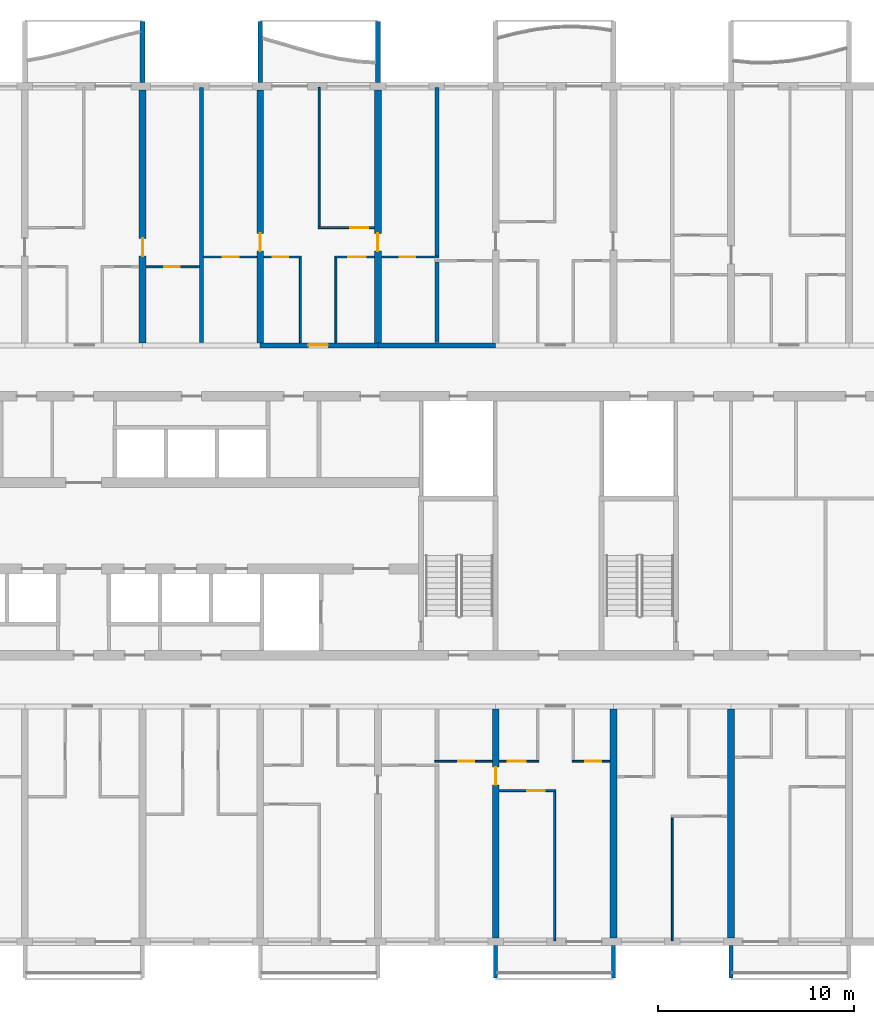
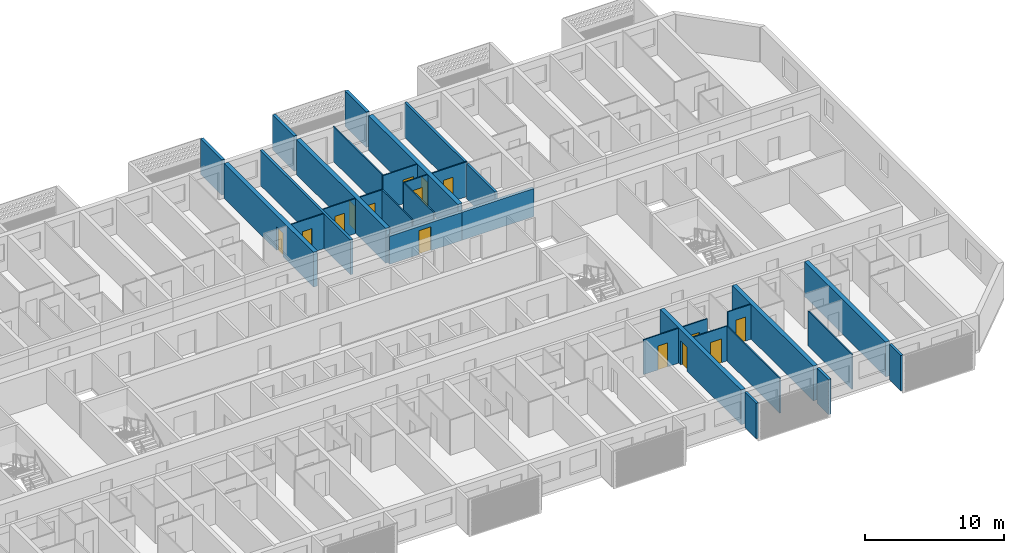
# One storey, part 13 of 25: 32 walls, 15 doors, 15 openings.
"""IFC4 building model written with IfcOpenShell, lengths in metres."""

import ifcopenshell
import ifcopenshell.guid

model = None  # the IFC model being written
_history = None  # IfcOwnerHistory: only IFC2X3 demands one
_inside = {}  # id of a spatial element -> (the spatial element, [elements in it])
_under = {}  # id of a project, library or spatial element -> (it, [spatial elements below it])
_declared = {}  # id of a project -> (the project, [libraries it declares])
_typed = {}  # id of a type object -> (the type object, [elements of that type])
_made_of = {}  # id of a material, layer set ... -> (it, [elements and type objects made of it])


def new_model(schema):
    """Start an empty IFC model of exactly this schema.

    Asked for "IFC4X3", IfcOpenShell would pick the latest addendum, in which some entities
    have other attributes; the version numbers below select the first issue.
    IFC2X3 requires an IfcOwnerHistory on every rooted entity: one is made here for all.
    """
    global model, _history
    if schema == "IFC4X3":
        model = ifcopenshell.file(schema_version=(4, 3, 0, 0))
    else:
        model = ifcopenshell.file(schema=schema)
    _inside.clear()
    _under.clear()
    _declared.clear()
    _typed.clear()
    _made_of.clear()
    _history = None
    if model.schema == "IFC2X3":
        org = make("IfcOrganization", Name="unknown")
        user = make(
            "IfcPersonAndOrganization",
            ThePerson=make("IfcPerson", FamilyName="unknown"),
            TheOrganization=org,
        )
        app = make(
            "IfcApplication",
            ApplicationDeveloper=org,
            Version="unknown",
            ApplicationFullName="unknown",
            ApplicationIdentifier="unknown",
        )
        _history = make(
            "IfcOwnerHistory",
            OwningUser=user,
            OwningApplication=app,
            ChangeAction="ADDED",
            CreationDate=0,
        )
    return model


def make(cls, **values):
    """One entity of the class cls with the attributes given. An attribute that is None is left unset."""
    return model.create_entity(
        cls, **{name: value for name, value in values.items() if value is not None}
    )


def rooted(cls, **values):
    """An entity with a GlobalId (a new one), such as an element, a storey or a relation."""
    return make(cls, GlobalId=ifcopenshell.guid.new(), OwnerHistory=_history, **values)


def si_unit(unit_type, name, prefix=None):
    """IfcSIUnit, for example si_unit("LENGTHUNIT", "METRE", prefix="MILLI")."""
    return make("IfcSIUnit", UnitType=unit_type, Prefix=prefix, Name=name)


def assignment(units):
    """IfcUnitAssignment: the units of a project."""
    return None if units is None else make("IfcUnitAssignment", Units=units)


def point(xyz):
    """IfcCartesianPoint."""
    return None if xyz is None else make("IfcCartesianPoint", Coordinates=xyz)


def direction(xyz):
    """IfcDirection."""
    return None if xyz is None else make("IfcDirection", DirectionRatios=xyz)


def frame(location, z_axis=None, x_axis=None):
    """IfcAxis2Placement3D, a coordinate frame: its origin and axes. An axis left out is left unset."""
    return make(
        "IfcAxis2Placement3D",
        Location=point(location),
        Axis=direction(z_axis),
        RefDirection=direction(x_axis),
    )


def frame_2d(location, x_axis=None):
    """IfcAxis2Placement2D, a coordinate frame in the plane: its origin and x axis."""
    return make(
        "IfcAxis2Placement2D", Location=point(location), RefDirection=direction(x_axis)
    )


def origin():
    """The frame at (0, 0, 0) with its axes left unset."""
    return frame((0.0, 0.0, 0.0))


def place(relative_to, where):
    """IfcLocalPlacement: puts the frame where relative to a parent placement (None: the world)."""
    return make(
        "IfcLocalPlacement", PlacementRelTo=relative_to, RelativePlacement=where
    )


def context(
    kind, dimensions, precision=None, world=None, true_north=None, identifier=None
):
    """IfcGeometricRepresentationContext, for example the 3D "Model" context."""
    return make(
        "IfcGeometricRepresentationContext",
        ContextIdentifier=identifier,
        ContextType=kind,
        CoordinateSpaceDimension=dimensions,
        Precision=precision,
        WorldCoordinateSystem=world,
        TrueNorth=true_north,
    )


def subcontext(parent, identifier, kind, view, scale=None):
    """IfcGeometricRepresentationSubContext, for example "Body" below "Model"."""
    return make(
        "IfcGeometricRepresentationSubContext",
        ContextIdentifier=identifier,
        ContextType=kind,
        ParentContext=parent,
        TargetScale=scale,
        TargetView=view,
    )


def project(units=None, contexts=None):
    """IfcProject with its units and contexts."""
    return rooted(
        "IfcProject",
        Name="project",
        RepresentationContexts=contexts,
        UnitsInContext=assignment(units),
    )


def spatial(cls, under=None, at=None, **own):
    """A site, building, storey or space (cls), placed at a placement, below another one or the project."""
    s = rooted(cls, ObjectPlacement=at, **own)
    if under is not None:
        _under.setdefault(under.id(), (under, []))[1].append(s)
    return s


def polyline(points):
    """IfcPolyline through the points."""
    return make("IfcPolyline", Points=[point(p) for p in points])


def profile(cls, at=None, kind="AREA", **sizes):
    """A parametric profile (cls). Its sizes go by their IFC names, for example OverallWidth=200.0."""
    return make(cls, ProfileType=kind, Position=at, **sizes)


def rectangle(**sizes):
    """IfcRectangleProfileDef."""
    return profile("IfcRectangleProfileDef", **sizes)


def outline(outer, holes=None, kind="AREA"):
    """IfcArbitraryClosedProfileDef: a profile drawn as a closed curve; with holes, ...WithVoids."""
    if holes is None:
        return make("IfcArbitraryClosedProfileDef", ProfileType=kind, OuterCurve=outer)
    return make(
        "IfcArbitraryProfileDefWithVoids",
        ProfileType=kind,
        OuterCurve=outer,
        InnerCurves=holes,
    )


def extrude(swept, where, along, depth):
    """IfcExtrudedAreaSolid: the profile swept, set in the frame where, extruded along a direction by depth."""
    return make(
        "IfcExtrudedAreaSolid",
        SweptArea=swept,
        Position=where,
        ExtrudedDirection=direction(along),
        Depth=depth,
    )


def shape(context_of_items, identifier, shape_type, items):
    """IfcShapeRepresentation: the items that make up one representation, for example the "Body"."""
    return make(
        "IfcShapeRepresentation",
        ContextOfItems=context_of_items,
        RepresentationIdentifier=identifier,
        RepresentationType=shape_type,
        Items=items,
    )


def source(mapping_origin, context_of_items, identifier, shape_type, items):
    """IfcRepresentationMap: a shape defined once, which mapped items show again and again."""
    return make(
        "IfcRepresentationMap",
        MappingOrigin=mapping_origin,
        MappedRepresentation=shape(context_of_items, identifier, shape_type, items),
    )


def transform(
    local_origin,
    x_axis=None,
    y_axis=None,
    z_axis=None,
    scale=None,
    scale2=None,
    scale3=None,
    uniform=True,
):
    """IfcCartesianTransformationOperator3D, or its non-uniform kind. x_axis, y_axis, z_axis: its Axis1, 2, 3."""
    if uniform:
        return make(
            "IfcCartesianTransformationOperator3D",
            Axis1=direction(x_axis),
            Axis2=direction(y_axis),
            LocalOrigin=point(local_origin),
            Scale=scale,
            Axis3=direction(z_axis),
        )
    return make(
        "IfcCartesianTransformationOperator3DnonUniform",
        Axis1=direction(x_axis),
        Axis2=direction(y_axis),
        LocalOrigin=point(local_origin),
        Scale=scale,
        Axis3=direction(z_axis),
        Scale2=scale2,
        Scale3=scale3,
    )


def mapped(mapping_source, mapping_target):
    """IfcMappedItem: shows the shape of a source again, moved by a transform."""
    return make(
        "IfcMappedItem", MappingSource=mapping_source, MappingTarget=mapping_target
    )


def material(Name=None, Category=None):
    """IfcMaterial."""
    return make("IfcMaterial", Name=Name, Category=Category)


def layer(
    of_material, thickness, ventilated=None, Name=None, Category=None, Priority=None
):
    """IfcMaterialLayer: one layer of a wall or slab, of a material (None: an air gap)."""
    return make(
        "IfcMaterialLayer",
        Material=of_material,
        LayerThickness=thickness,
        IsVentilated=ventilated,
        Name=Name,
        Category=Category,
        Priority=Priority,
    )


def layer_set(layers, Name=None):
    """IfcMaterialLayerSet."""
    return make("IfcMaterialLayerSet", MaterialLayers=layers, LayerSetName=Name)


def made_of(thing, what):
    """Note that an element or type object is made of a material, layer set ...; save() writes the relation."""
    if what is not None:
        _made_of.setdefault(what.id(), (what, []))[1].append(thing)
    return thing


def type_object(cls, material=None, **own):
    """A type object (cls), such as IfcWallType, which elements share."""
    return made_of(rooted(cls, **own), material)


def element(
    cls,
    number,
    at=None,
    inside=None,
    cuts=None,
    type_object=None,
    material=None,
    context=None,
    identifier="Body",
    shape_type=None,
    held_by="IfcProductDefinitionShape",
    body=None,
    shapes=None,
    **own,
):
    """One element of the class cls, such as IfcWall. Its Tag is "e" and its number.

    at: its placement. inside: the storey or other place that contains it. cuts: it is an
    opening in that element (IfcRelVoidsElement). A single representation is given by context,
    identifier, shape_type and body (its items); several are given by shapes. held_by: the class
    of the entity that holds the representations. save() writes the other relations.
    """
    e = rooted(cls, Tag="e%d" % number, ObjectPlacement=at, **own)
    if body is not None:
        shapes = [shape(context, identifier, shape_type, body)]
    if shapes is not None:
        e.Representation = make(held_by, Representations=shapes)
    if inside is not None:
        _inside.setdefault(inside.id(), (inside, []))[1].append(e)
    if cuts is not None:
        rooted(
            "IfcRelVoidsElement", RelatingBuildingElement=cuts, RelatedOpeningElement=e
        )
    if type_object is not None:
        _typed.setdefault(type_object.id(), (type_object, []))[1].append(e)
    return made_of(e, material)


def fill(opening, filler):
    """IfcRelFillsElement: the door or window that sits in an opening."""
    return rooted(
        "IfcRelFillsElement",
        RelatingOpeningElement=opening,
        RelatedBuildingElement=filler,
    )


def aggregate(whole, parts):
    """IfcRelAggregates: a whole, such as a stair, and the parts it consists of."""
    return rooted("IfcRelAggregates", RelatingObject=whole, RelatedObjects=parts)


def save(model, path):
    """Write the relations noted so far, then the file.

    IfcRelAggregates (storeys below a building ...), IfcRelContainedInSpatialStructure (elements
    in a storey), IfcRelDefinesByType, IfcRelAssociatesMaterial and IfcRelDeclares: one each for
    every whole, place, type object, material and project.
    """
    for whole, parts in _under.values():
        aggregate(whole, parts)
    for where, things in _inside.values():
        rooted(
            "IfcRelContainedInSpatialStructure",
            RelatedElements=things,
            RelatingStructure=where,
        )
    for kind, things in _typed.values():
        rooted("IfcRelDefinesByType", RelatedObjects=things, RelatingType=kind)
    for what, things in _made_of.values():
        rooted("IfcRelAssociatesMaterial", RelatedObjects=things, RelatingMaterial=what)
    for by, libraries in _declared.values():
        rooted("IfcRelDeclares", RelatingContext=by, RelatedDefinitions=libraries)
    model.write(path)


model = new_model("IFC4")

# Units and contexts
model_context = context("Model", 3, precision=1e-05, world=origin(), true_north=direction((0.0, 1.0)))
body_context = subcontext(model_context, "Body", "Model", "MODEL_VIEW")
ifc_project = project(units=[si_unit("LENGTHUNIT", "METRE"), si_unit("AREAUNIT", "SQUARE_METRE"), si_unit("VOLUMEUNIT", "CUBIC_METRE"), si_unit("PLANEANGLEUNIT", "RADIAN"), si_unit("MASSUNIT", "GRAM", prefix="KILO")], contexts=[model_context])

# Site, building, storey
site_placement = place(None, origin())
site = spatial("IfcSite", under=ifc_project, at=site_placement, CompositionType="ELEMENT")
building_placement = place(site_placement, origin())
building = spatial("IfcBuilding", under=site, at=building_placement, Name="Poui Terraces", CompositionType="ELEMENT")
storey_placement = place(building_placement, frame((0.0, 0.0, 89.39990234375)))
storey = spatial("IfcBuildingStorey", under=building, at=storey_placement, Name="L24", CompositionType="ELEMENT", Elevation=89.39990234375)

# Wall, opening, door
ifc_material_1 = material(Name="Concrete 65 MPa", Category="concrete")
ifc_layer_1 = layer(ifc_material_1, 0.25)
ifc_layer_set_1 = layer_set([ifc_layer_1], Name="Concrete 65 MPa")
wall_type_1 = type_object("IfcWallType", Name="CORRIDOR WALL 250 65MPa", PredefinedType="SHEAR", material=ifc_layer_set_1)
wall_1_placement = place(storey_placement, frame((60.0, 30.39990234375, 0.0), z_axis=(0.0, 0.0, 1.0), x_axis=(1.0, 0.0, 0.0)))
wall_1 = element("IfcWall", 1, at=wall_1_placement, inside=storey, type_object=wall_type_1, Name="CORRIDOR WALL LINE E BAY 10", PredefinedType="SHEAR", context=body_context, shape_type="SweptSolid", body=[
    extrude(rectangle(XDim=6.0, YDim=0.25, at=frame_2d((3.0, 0.0))), origin(), (0.0, 0.0, 1.0), 2.460205078125),
])
opening_1_placement = place(wall_1_placement, frame((2.449951171875, 0.0, 0.0)))
opening_1 = element("IfcOpeningElement", 2, at=opening_1_placement, cuts=wall_1, Name="Opening FD30S", PredefinedType="OPENING", context=body_context, shape_type="SweptSolid", body=[
    extrude(rectangle(XDim=1.0, YDim=2.10009765625, at=frame_2d((0.5, 1.050048828125))), frame((0.0, 0.135009765625, 0.0), z_axis=(0.0, -1.0, 0.0), x_axis=(1.0, 0.0, 0.0)), (0.0, 0.0, 1.0), 0.27001953125),
])
ifc_material_2 = material(Name="Steel fire door", Category="steel")
door_type_1 = type_object("IfcDoorType", Name="FLAT ENTRANCE DOOR 1000 X 2100", OperationType="NOTDEFINED", PredefinedType="DOOR", material=ifc_material_2)
door_1_placement = place(opening_1_placement, origin())
door_1 = element("IfcDoor", 3, at=door_1_placement, inside=storey, type_object=door_type_1, Name="FLAT ENTRANCE DOOR 065", OperationType="SINGLE_SWING_LEFT", OverallHeight=2.10009765625, OverallWidth=1.0, PredefinedType="DOOR", context=body_context, shape_type="SweptSolid", body=[
    extrude(rectangle(XDim=1.0, YDim=2.10009765625, at=frame_2d((0.5, 1.050048828125))), frame((0.0, 0.02490234375, 0.0), z_axis=(0.0, -1.0, 0.0), x_axis=(1.0, 0.0, 0.0)), (0.0, 0.0, 1.0), 0.050048828125),
])
fill(opening_1, door_1)

# Wall
wall_2_placement = place(storey_placement, frame((66.0, 30.39990234375, 0.0), z_axis=(0.0, 0.0, 1.0), x_axis=(1.0, 0.0, 0.0)))
element("IfcWall", 4, at=wall_2_placement, inside=storey, type_object=wall_type_1, Name="CORRIDOR WALL LINE E BAY 11", PredefinedType="SHEAR", context=body_context, shape_type="SweptSolid", body=[
    extrude(rectangle(XDim=6.0, YDim=0.25, at=frame_2d((3.0, 0.0))), origin(), (0.0, 0.0, 1.0), 2.460205078125),
])

# Wall, opening, door
ifc_layer_2 = layer(ifc_material_1, 0.35009765625)
ifc_layer_set_2 = layer_set([ifc_layer_2], Name="Concrete 65 MPa")
wall_type_2 = type_object("IfcWallType", Name="CROSS WALL 350 65MPa", PredefinedType="SHEAR", material=ifc_layer_set_2)
wall_3_placement = place(storey_placement, frame((54.0, 30.52490234375, 0.0), z_axis=(0.0, 0.0, 1.0), x_axis=(0.0, 1.0, 0.0)))
wall_3 = element("IfcWall", 5, at=wall_3_placement, inside=storey, type_object=wall_type_2, Name="CROSS WALL LINE 10 NORTH", PredefinedType="SHEAR", context=body_context, shape_type="SweptSolid", body=[
    extrude(rectangle(XDim=12.875, YDim=0.35009765625, at=frame_2d((6.4375, 0.0))), origin(), (0.0, 0.0, 1.0), 3.06005859375),
])
opening_2_placement = place(wall_3_placement, frame((4.425048828125, 0.0, 0.0)))
opening_2 = element("IfcOpeningElement", 6, at=opening_2_placement, cuts=wall_3, Name="Opening D90", PredefinedType="OPENING", context=body_context, shape_type="SweptSolid", body=[
    extrude(rectangle(XDim=0.89990234375, YDim=2.10009765625, at=frame_2d((0.449951171875, 1.050048828125))), frame((0.0, 0.18505859375, 0.0), z_axis=(0.0, -1.0, 0.0), x_axis=(1.0, 0.0, 0.0)), (0.0, 0.0, 1.0), 0.3701171875),
])
ifc_material_3 = material(Name="Solid core timber door", Category="wood")
door_type_2 = type_object("IfcDoorType", Name="INTERNAL DOOR 900 X 2100", OperationType="NOTDEFINED", PredefinedType="DOOR", material=ifc_material_3)
door_2_placement = place(opening_2_placement, frame((0.89990234375, 0.0, 0.0), z_axis=(0.0, 0.0, 1.0), x_axis=(-1.0, 0.0, 0.0)))
door_2 = element("IfcDoor", 7, at=door_2_placement, inside=storey, type_object=door_type_2, Name="INTERNAL DOOR 060", OperationType="SINGLE_SWING_RIGHT", OverallHeight=2.10009765625, OverallWidth=0.89990234375, PredefinedType="DOOR", context=body_context, shape_type="SweptSolid", body=[
    extrude(rectangle(XDim=0.89990234375, YDim=2.10009765625, at=frame_2d((0.449951171875, 1.050048828125))), frame((0.0, 0.02490234375, 0.0), z_axis=(0.0, -1.0, 0.0), x_axis=(1.0, 0.0, 0.0)), (0.0, 0.0, 1.0), 0.050048828125),
])
fill(opening_2, door_2)

wall_4_placement = place(storey_placement, frame((60.0, 30.52490234375, 0.0), z_axis=(0.0, 0.0, 1.0), x_axis=(0.0, 1.0, 0.0)))
wall_4 = element("IfcWall", 8, at=wall_4_placement, inside=storey, type_object=wall_type_2, Name="CROSS WALL LINE 11 NORTH", PredefinedType="SHEAR", context=body_context, shape_type="SweptSolid", body=[
    extrude(rectangle(XDim=12.875, YDim=0.35009765625, at=frame_2d((6.4375, 0.0))), origin(), (0.0, 0.0, 1.0), 3.06005859375),
])
opening_3_placement = place(wall_4_placement, frame((4.675048828125, 0.0, 0.0)))
opening_3 = element("IfcOpeningElement", 9, at=opening_3_placement, cuts=wall_4, Name="Opening D90", PredefinedType="OPENING", context=body_context, shape_type="SweptSolid", body=[
    extrude(rectangle(XDim=0.89990234375, YDim=2.10009765625, at=frame_2d((0.449951171875, 1.050048828125))), frame((0.0, 0.18505859375, 0.0), z_axis=(0.0, -1.0, 0.0), x_axis=(1.0, 0.0, 0.0)), (0.0, 0.0, 1.0), 0.3701171875),
])
door_3_placement = place(opening_3_placement, origin())
door_3 = element("IfcDoor", 10, at=door_3_placement, inside=storey, type_object=door_type_2, Name="INTERNAL DOOR 063", OperationType="SINGLE_SWING_LEFT", OverallHeight=2.10009765625, OverallWidth=0.89990234375, PredefinedType="DOOR", context=body_context, shape_type="SweptSolid", body=[
    extrude(rectangle(XDim=0.89990234375, YDim=2.10009765625, at=frame_2d((0.449951171875, 1.050048828125))), frame((0.0, 0.02490234375, 0.0), z_axis=(0.0, -1.0, 0.0), x_axis=(1.0, 0.0, 0.0)), (0.0, 0.0, 1.0), 0.050048828125),
])
fill(opening_3, door_3)

wall_5_placement = place(storey_placement, frame((66.0, 30.52490234375, 0.0), z_axis=(0.0, 0.0, 1.0), x_axis=(0.0, 1.0, 0.0)))
wall_5 = element("IfcWall", 11, at=wall_5_placement, inside=storey, type_object=wall_type_2, Name="CROSS WALL LINE 12 NORTH", PredefinedType="SHEAR", context=body_context, shape_type="SweptSolid", body=[
    extrude(rectangle(XDim=12.875, YDim=0.35009765625, at=frame_2d((6.4375, 0.0))), origin(), (0.0, 0.0, 1.0), 3.06005859375),
])
opening_4_placement = place(wall_5_placement, frame((4.675048828125, 0.0, 0.0)))
opening_4 = element("IfcOpeningElement", 12, at=opening_4_placement, cuts=wall_5, Name="Opening D90", PredefinedType="OPENING", context=body_context, shape_type="SweptSolid", body=[
    extrude(rectangle(XDim=0.89990234375, YDim=2.10009765625, at=frame_2d((0.449951171875, 1.050048828125))), frame((0.0, 0.18505859375, 0.0), z_axis=(0.0, -1.0, 0.0), x_axis=(1.0, 0.0, 0.0)), (0.0, 0.0, 1.0), 0.3701171875),
])
door_4_placement = place(opening_4_placement, frame((0.89990234375, 0.0, 0.0), z_axis=(0.0, 0.0, 1.0), x_axis=(-1.0, 0.0, 0.0)))
door_4 = element("IfcDoor", 13, at=door_4_placement, inside=storey, type_object=door_type_2, Name="INTERNAL DOOR 068", OperationType="SINGLE_SWING_RIGHT", OverallHeight=2.10009765625, OverallWidth=0.89990234375, PredefinedType="DOOR", context=body_context, shape_type="SweptSolid", body=[
    extrude(rectangle(XDim=0.89990234375, YDim=2.10009765625, at=frame_2d((0.449951171875, 1.050048828125))), frame((0.0, 0.02490234375, 0.0), z_axis=(0.0, -1.0, 0.0), x_axis=(1.0, 0.0, 0.0)), (0.0, 0.0, 1.0), 0.050048828125),
])
fill(opening_4, door_4)

wall_6_placement = place(storey_placement, frame((72.0, 0.199951171875, 0.0), z_axis=(0.0, 0.0, 1.0), x_axis=(0.0, 1.0, 0.0)))
wall_6 = element("IfcWall", 14, at=wall_6_placement, inside=storey, type_object=wall_type_2, Name="CROSS WALL LINE 13 SOUTH", PredefinedType="SHEAR", context=body_context, shape_type="SweptSolid", body=[
    extrude(rectangle(XDim=11.675048828125, YDim=0.35009765625, at=frame_2d((5.83740234375, 0.0))), origin(), (0.0, 0.0, 1.0), 3.06005859375),
])
opening_5_placement = place(wall_6_placement, frame((7.800048828125, 0.0, 0.0)))
opening_5 = element("IfcOpeningElement", 15, at=opening_5_placement, cuts=wall_6, Name="Opening D90", PredefinedType="OPENING", context=body_context, shape_type="SweptSolid", body=[
    extrude(rectangle(XDim=0.89990234375, YDim=2.10009765625, at=frame_2d((0.449951171875, 1.050048828125))), frame((0.0, 0.18505859375, 0.0), z_axis=(0.0, -1.0, 0.0), x_axis=(1.0, 0.0, 0.0)), (0.0, 0.0, 1.0), 0.3701171875),
])
door_5_placement = place(opening_5_placement, origin())
door_5 = element("IfcDoor", 16, at=door_5_placement, inside=storey, type_object=door_type_2, Name="INTERNAL DOOR 122", OperationType="SINGLE_SWING_RIGHT", OverallHeight=2.10009765625, OverallWidth=0.89990234375, PredefinedType="DOOR", context=body_context, shape_type="SweptSolid", body=[
    extrude(rectangle(XDim=0.89990234375, YDim=2.10009765625, at=frame_2d((0.449951171875, 1.050048828125))), frame((0.0, 0.02490234375, 0.0), z_axis=(0.0, -1.0, 0.0), x_axis=(1.0, 0.0, 0.0)), (0.0, 0.0, 1.0), 0.050048828125),
])
fill(opening_5, door_5)

# Walls
for number, where, z_axis, x_axis, name in (
    (17, (78.0, 0.199951171875, 0.0), (0.0, 0.0, 1.0), (0.0, 1.0, 0.0), "CROSS WALL LINE 14 SOUTH"),
    (18, (84.0, 0.199951171875, 0.0), (0.0, 0.0, 1.0), (0.0, 1.0, 0.0), "CROSS WALL LINE 15 SOUTH"),
):
    element("IfcWall", number, at=place(storey_placement, frame(where, z_axis=z_axis, x_axis=x_axis)), inside=storey, type_object=wall_type_2, Name=name, PredefinedType="SHEAR", context=body_context, shape_type="SweptSolid", body=[
        extrude(rectangle(XDim=11.675048828125, YDim=0.35009765625, at=frame_2d((5.83740234375, 0.0))), origin(), (0.0, 0.0, 1.0), 3.06005859375),
    ])

# Wall, opening, door
ifc_material_4 = material(Name="Plasterboard partition")
ifc_layer_3 = layer(ifc_material_4, 0.10009765625)
ifc_layer_set_3 = layer_set([ifc_layer_3], Name="Plasterboard partition")
wall_type_3 = type_object("IfcWallType", Name="FLAT PARTITION 100", PredefinedType="PARTITIONING", material=ifc_layer_set_3)
wall_7_placement = place(storey_placement, frame((72.18505859375, 7.699951171875, 0.0), z_axis=(0.0, 0.0, 1.0), x_axis=(1.0, 0.0, 0.0)))
wall_7 = element("IfcWall", 19, at=wall_7_placement, inside=storey, type_object=wall_type_3, Name="FLAT PARTITION 100", PredefinedType="PARTITIONING", context=body_context, shape_type="SweptSolid", body=[
    extrude(rectangle(XDim=2.864990234375, YDim=0.10009765625, at=frame_2d((1.4326171875, 0.0))), origin(), (0.0, 0.0, 1.0), 3.06005859375),
])
opening_6_placement = place(wall_7_placement, frame((1.4150390625, 0.0, 0.0)))
opening_6 = element("IfcOpeningElement", 20, at=opening_6_placement, cuts=wall_7, Name="Opening D90", PredefinedType="OPENING", context=body_context, shape_type="SweptSolid", body=[
    extrude(rectangle(XDim=0.89990234375, YDim=2.10009765625, at=frame_2d((0.449951171875, 1.050048828125))), frame((0.0, 0.06005859375, 0.0), z_axis=(0.0, -1.0, 0.0), x_axis=(1.0, 0.0, 0.0)), (0.0, 0.0, 1.0), 0.1201171875),
])
door_6_placement = place(opening_6_placement, origin())
door_6 = element("IfcDoor", 21, at=door_6_placement, inside=storey, type_object=door_type_2, Name="INTERNAL DOOR 124", OperationType="SINGLE_SWING_LEFT", OverallHeight=2.10009765625, OverallWidth=0.89990234375, PredefinedType="DOOR", context=body_context, shape_type="SweptSolid", body=[
    extrude(rectangle(XDim=0.89990234375, YDim=2.10009765625, at=frame_2d((0.449951171875, 1.050048828125))), frame((0.0, 0.02490234375, 0.0), z_axis=(0.0, -1.0, 0.0), x_axis=(1.0, 0.0, 0.0)), (0.0, 0.0, 1.0), 0.050048828125),
])
fill(opening_6, door_6)

wall_8_placement = place(storey_placement, frame((68.89990234375, 9.199951171875, 0.0), z_axis=(0.0, 0.0, 1.0), x_axis=(1.0, 0.0, 0.0)))
wall_8 = element("IfcWall", 22, at=wall_8_placement, inside=storey, type_object=wall_type_3, Name="FLAT PARTITION 100", PredefinedType="PARTITIONING", context=body_context, shape_type="SweptSolid", body=[
    extrude(rectangle(XDim=2.9150390625, YDim=0.10009765625, at=frame_2d((1.45751953125, 0.0))), origin(), (0.0, 0.0, 1.0), 3.06005859375),
])
opening_7_placement = place(wall_8_placement, frame((1.199951171875, 0.0, 0.0)))
opening_7 = element("IfcOpeningElement", 23, at=opening_7_placement, cuts=wall_8, Name="Opening D80", PredefinedType="OPENING", context=body_context, shape_type="SweptSolid", body=[
    extrude(rectangle(XDim=0.800048828125, YDim=2.10009765625, at=frame_2d((0.39990234375, 1.050048828125))), frame((0.0, 0.06005859375, 0.0), z_axis=(0.0, -1.0, 0.0), x_axis=(1.0, 0.0, 0.0)), (0.0, 0.0, 1.0), 0.1201171875),
])
door_type_3 = type_object("IfcDoorType", Name="BATHROOM, LAUNDRY AND STORE DOOR 800 X 2100", OperationType="NOTDEFINED", PredefinedType="DOOR", material=ifc_material_3)
door_7_placement = place(opening_7_placement, origin())
door_7 = element("IfcDoor", 24, at=door_7_placement, inside=storey, type_object=door_type_3, Name="BATHROOM, LAUNDRY AND STORE DOOR 121", OperationType="SINGLE_SWING_RIGHT", OverallHeight=2.10009765625, OverallWidth=0.800048828125, PredefinedType="DOOR", context=body_context, shape_type="SweptSolid", body=[
    extrude(rectangle(XDim=0.800048828125, YDim=2.10009765625, at=frame_2d((0.39990234375, 1.050048828125))), frame((0.0, 0.02490234375, 0.0), z_axis=(0.0, -1.0, 0.0), x_axis=(1.0, 0.0, 0.0)), (0.0, 0.0, 1.0), 0.050048828125),
])
fill(opening_7, door_7)

wall_9_placement = place(storey_placement, frame((72.18505859375, 9.199951171875, 0.0), z_axis=(0.0, 0.0, 1.0), x_axis=(1.0, 0.0, 0.0)))
wall_9 = element("IfcWall", 25, at=wall_9_placement, inside=storey, type_object=wall_type_3, Name="FLAT PARTITION 100", PredefinedType="PARTITIONING", context=body_context, shape_type="SweptSolid", body=[
    extrude(rectangle(XDim=2.014892578125, YDim=0.10009765625, at=frame_2d((1.00732421875, 0.0))), origin(), (0.0, 0.0, 1.0), 3.06005859375),
])
opening_8_placement = place(wall_9_placement, frame((0.43994140625, 0.0, 0.0)))
opening_8 = element("IfcOpeningElement", 26, at=opening_8_placement, cuts=wall_9, Name="Opening D90", PredefinedType="OPENING", context=body_context, shape_type="SweptSolid", body=[
    extrude(rectangle(XDim=0.89990234375, YDim=2.10009765625, at=frame_2d((0.449951171875, 1.050048828125))), frame((0.0, 0.06005859375, 0.0), z_axis=(0.0, -1.0, 0.0), x_axis=(1.0, 0.0, 0.0)), (0.0, 0.0, 1.0), 0.1201171875),
])
door_8_placement = place(opening_8_placement, origin())
door_8 = element("IfcDoor", 27, at=door_8_placement, inside=storey, type_object=door_type_2, Name="INTERNAL DOOR 123", OperationType="SINGLE_SWING_RIGHT", OverallHeight=2.10009765625, OverallWidth=0.89990234375, PredefinedType="DOOR", context=body_context, shape_type="SweptSolid", body=[
    extrude(rectangle(XDim=0.89990234375, YDim=2.10009765625, at=frame_2d((0.449951171875, 1.050048828125))), frame((0.0, 0.02490234375, 0.0), z_axis=(0.0, -1.0, 0.0), x_axis=(1.0, 0.0, 0.0)), (0.0, 0.0, 1.0), 0.050048828125),
])
fill(opening_8, door_8)

wall_10_placement = place(storey_placement, frame((75.89990234375, 9.199951171875, 0.0), z_axis=(0.0, 0.0, 1.0), x_axis=(1.0, 0.0, 0.0)))
wall_10 = element("IfcWall", 28, at=wall_10_placement, inside=storey, type_object=wall_type_3, Name="FLAT PARTITION 100", PredefinedType="PARTITIONING", context=body_context, shape_type="SweptSolid", body=[
    extrude(rectangle(XDim=1.9150390625, YDim=0.10009765625, at=frame_2d((0.95751953125, 0.0))), origin(), (0.0, 0.0, 1.0), 3.06005859375),
])
opening_9_placement = place(wall_10_placement, frame((0.675048828125, 0.0, 0.0)))
opening_9 = element("IfcOpeningElement", 29, at=opening_9_placement, cuts=wall_10, Name="Opening D80", PredefinedType="OPENING", context=body_context, shape_type="SweptSolid", body=[
    extrude(rectangle(XDim=0.800048828125, YDim=2.10009765625, at=frame_2d((0.39990234375, 1.050048828125))), frame((0.0, 0.06005859375, 0.0), z_axis=(0.0, -1.0, 0.0), x_axis=(1.0, 0.0, 0.0)), (0.0, 0.0, 1.0), 0.1201171875),
])
door_9_placement = place(opening_9_placement, origin())
door_9 = element("IfcDoor", 30, at=door_9_placement, inside=storey, type_object=door_type_3, Name="BATHROOM, LAUNDRY AND STORE DOOR 126", OperationType="SINGLE_SWING_LEFT", OverallHeight=2.10009765625, OverallWidth=0.800048828125, PredefinedType="DOOR", context=body_context, shape_type="SweptSolid", body=[
    extrude(rectangle(XDim=0.800048828125, YDim=2.10009765625, at=frame_2d((0.39990234375, 1.050048828125))), frame((0.0, 0.02490234375, 0.0), z_axis=(0.0, -1.0, 0.0), x_axis=(1.0, 0.0, 0.0)), (0.0, 0.0, 1.0), 0.050048828125),
])
fill(opening_9, door_9)

wall_11_placement = place(storey_placement, frame((54.18505859375, 34.39990234375, 0.0), z_axis=(0.0, 0.0, 1.0), x_axis=(1.0, 0.0, 0.0)))
wall_11 = element("IfcWall", 31, at=wall_11_placement, inside=storey, type_object=wall_type_3, Name="FLAT PARTITION 100", PredefinedType="PARTITIONING", context=body_context, shape_type="SweptSolid", body=[
    extrude(rectangle(XDim=2.71484375, YDim=0.10009765625, at=frame_2d((1.357421875, 0.0))), origin(), (0.0, 0.0, 1.0), 3.06005859375),
])
opening_10_placement = place(wall_11_placement, frame((0.9150390625, 0.0, 0.0)))
opening_10 = element("IfcOpeningElement", 32, at=opening_10_placement, cuts=wall_11, Name="Opening D80", PredefinedType="OPENING", context=body_context, shape_type="SweptSolid", body=[
    extrude(rectangle(XDim=0.800048828125, YDim=2.10009765625, at=frame_2d((0.39990234375, 1.050048828125))), frame((0.0, 0.06005859375, 0.0), z_axis=(0.0, -1.0, 0.0), x_axis=(1.0, 0.0, 0.0)), (0.0, 0.0, 1.0), 0.1201171875),
])
door_10_placement = place(opening_10_placement, frame((0.800048828125, 0.0, 0.0), z_axis=(0.0, 0.0, 1.0), x_axis=(-1.0, 0.0, 0.0)))
door_10 = element("IfcDoor", 33, at=door_10_placement, inside=storey, type_object=door_type_3, Name="BATHROOM, LAUNDRY AND STORE DOOR 054", OperationType="SINGLE_SWING_LEFT", OverallHeight=2.10009765625, OverallWidth=0.800048828125, PredefinedType="DOOR", context=body_context, shape_type="SweptSolid", body=[
    extrude(rectangle(XDim=0.800048828125, YDim=2.10009765625, at=frame_2d((0.39990234375, 1.050048828125))), frame((0.0, 0.02490234375, 0.0), z_axis=(0.0, -1.0, 0.0), x_axis=(1.0, 0.0, 0.0)), (0.0, 0.0, 1.0), 0.050048828125),
])
fill(opening_10, door_10)

wall_12_placement = place(storey_placement, frame((57.10009765625, 34.89990234375, 0.0), z_axis=(0.0, 0.0, 1.0), x_axis=(1.0, 0.0, 0.0)))
wall_12 = element("IfcWall", 34, at=wall_12_placement, inside=storey, type_object=wall_type_3, Name="FLAT PARTITION 100", PredefinedType="PARTITIONING", context=body_context, shape_type="SweptSolid", body=[
    extrude(rectangle(XDim=2.71484375, YDim=0.10009765625, at=frame_2d((1.357421875, 0.0))), origin(), (0.0, 0.0, 1.0), 3.06005859375),
])
opening_11_placement = place(wall_12_placement, frame((1.0, 0.0, 0.0)))
opening_11 = element("IfcOpeningElement", 35, at=opening_11_placement, cuts=wall_12, Name="Opening D80", PredefinedType="OPENING", context=body_context, shape_type="SweptSolid", body=[
    extrude(rectangle(XDim=0.800048828125, YDim=2.10009765625, at=frame_2d((0.39990234375, 1.050048828125))), frame((0.0, 0.06005859375, 0.0), z_axis=(0.0, -1.0, 0.0), x_axis=(1.0, 0.0, 0.0)), (0.0, 0.0, 1.0), 0.1201171875),
])
door_11_placement = place(opening_11_placement, frame((0.800048828125, 0.0, 0.0), z_axis=(0.0, 0.0, 1.0), x_axis=(-1.0, 0.0, 0.0)))
door_11 = element("IfcDoor", 36, at=door_11_placement, inside=storey, type_object=door_type_3, Name="BATHROOM, LAUNDRY AND STORE DOOR 061", OperationType="SINGLE_SWING_RIGHT", OverallHeight=2.10009765625, OverallWidth=0.800048828125, PredefinedType="DOOR", context=body_context, shape_type="SweptSolid", body=[
    extrude(rectangle(XDim=0.800048828125, YDim=2.10009765625, at=frame_2d((0.39990234375, 1.050048828125))), frame((0.0, 0.02490234375, 0.0), z_axis=(0.0, -1.0, 0.0), x_axis=(1.0, 0.0, 0.0)), (0.0, 0.0, 1.0), 0.050048828125),
])
fill(opening_11, door_11)

wall_13_placement = place(storey_placement, frame((60.18505859375, 34.89990234375, 0.0), z_axis=(0.0, 0.0, 1.0), x_axis=(1.0, 0.0, 0.0)))
wall_13 = element("IfcWall", 37, at=wall_13_placement, inside=storey, type_object=wall_type_3, Name="FLAT PARTITION 100", PredefinedType="PARTITIONING", context=body_context, shape_type="SweptSolid", body=[
    extrude(rectangle(XDim=1.9150390625, YDim=0.10009765625, at=frame_2d((0.95751953125, 0.0))), origin(), (0.0, 0.0, 1.0), 3.06005859375),
])
opening_12_placement = place(wall_13_placement, frame((0.43994140625, 0.0, 0.0)))
opening_12 = element("IfcOpeningElement", 38, at=opening_12_placement, cuts=wall_13, Name="Opening D80", PredefinedType="OPENING", context=body_context, shape_type="SweptSolid", body=[
    extrude(rectangle(XDim=0.800048828125, YDim=2.10009765625, at=frame_2d((0.39990234375, 1.050048828125))), frame((0.0, 0.06005859375, 0.0), z_axis=(0.0, -1.0, 0.0), x_axis=(1.0, 0.0, 0.0)), (0.0, 0.0, 1.0), 0.1201171875),
])
door_12_placement = place(opening_12_placement, frame((0.800048828125, 0.0, 0.0), z_axis=(0.0, 0.0, 1.0), x_axis=(-1.0, 0.0, 0.0)))
door_12 = element("IfcDoor", 39, at=door_12_placement, inside=storey, type_object=door_type_3, Name="BATHROOM, LAUNDRY AND STORE DOOR 064", OperationType="SINGLE_SWING_RIGHT", OverallHeight=2.10009765625, OverallWidth=0.800048828125, PredefinedType="DOOR", context=body_context, shape_type="SweptSolid", body=[
    extrude(rectangle(XDim=0.800048828125, YDim=2.10009765625, at=frame_2d((0.39990234375, 1.050048828125))), frame((0.0, 0.02490234375, 0.0), z_axis=(0.0, -1.0, 0.0), x_axis=(1.0, 0.0, 0.0)), (0.0, 0.0, 1.0), 0.050048828125),
])
fill(opening_12, door_12)

wall_14_placement = place(storey_placement, frame((63.800048828125, 34.89990234375, 0.0), z_axis=(0.0, 0.0, 1.0), x_axis=(1.0, 0.0, 0.0)))
wall_14 = element("IfcWall", 40, at=wall_14_placement, inside=storey, type_object=wall_type_3, Name="FLAT PARTITION 100", PredefinedType="PARTITIONING", context=body_context, shape_type="SweptSolid", body=[
    extrude(rectangle(XDim=2.014892578125, YDim=0.10009765625, at=frame_2d((1.00732421875, 0.0))), origin(), (0.0, 0.0, 1.0), 3.06005859375),
])
opening_13_placement = place(wall_14_placement, frame((0.675048828125, 0.0, 0.0)))
opening_13 = element("IfcOpeningElement", 41, at=opening_13_placement, cuts=wall_14, Name="Opening D90", PredefinedType="OPENING", context=body_context, shape_type="SweptSolid", body=[
    extrude(rectangle(XDim=0.89990234375, YDim=2.10009765625, at=frame_2d((0.449951171875, 1.050048828125))), frame((0.0, 0.06005859375, 0.0), z_axis=(0.0, -1.0, 0.0), x_axis=(1.0, 0.0, 0.0)), (0.0, 0.0, 1.0), 0.1201171875),
])
door_13_placement = place(opening_13_placement, frame((0.89990234375, 0.0, 0.0), z_axis=(0.0, 0.0, 1.0), x_axis=(-1.0, 0.0, 0.0)))
door_13 = element("IfcDoor", 42, at=door_13_placement, inside=storey, type_object=door_type_2, Name="INTERNAL DOOR 066", OperationType="SINGLE_SWING_LEFT", OverallHeight=2.10009765625, OverallWidth=0.89990234375, PredefinedType="DOOR", context=body_context, shape_type="SweptSolid", body=[
    extrude(rectangle(XDim=0.89990234375, YDim=2.10009765625, at=frame_2d((0.449951171875, 1.050048828125))), frame((0.0, 0.02490234375, 0.0), z_axis=(0.0, -1.0, 0.0), x_axis=(1.0, 0.0, 0.0)), (0.0, 0.0, 1.0), 0.050048828125),
])
fill(opening_13, door_13)

wall_15_placement = place(storey_placement, frame((66.18505859375, 34.89990234375, 0.0), z_axis=(0.0, 0.0, 1.0), x_axis=(1.0, 0.0, 0.0)))
wall_15 = element("IfcWall", 43, at=wall_15_placement, inside=storey, type_object=wall_type_3, Name="FLAT PARTITION 100", PredefinedType="PARTITIONING", context=body_context, shape_type="SweptSolid", body=[
    extrude(rectangle(XDim=2.9150390625, YDim=0.10009765625, at=frame_2d((1.45751953125, 0.0))), origin(), (0.0, 0.0, 1.0), 3.06005859375),
])
opening_14_placement = place(wall_15_placement, frame((0.9150390625, 0.0, 0.0)))
opening_14 = element("IfcOpeningElement", 44, at=opening_14_placement, cuts=wall_15, Name="Opening D80", PredefinedType="OPENING", context=body_context, shape_type="SweptSolid", body=[
    extrude(rectangle(XDim=0.800048828125, YDim=2.10009765625, at=frame_2d((0.39990234375, 1.050048828125))), frame((0.0, 0.06005859375, 0.0), z_axis=(0.0, -1.0, 0.0), x_axis=(1.0, 0.0, 0.0)), (0.0, 0.0, 1.0), 0.1201171875),
])
door_14_placement = place(opening_14_placement, frame((0.800048828125, 0.0, 0.0), z_axis=(0.0, 0.0, 1.0), x_axis=(-1.0, 0.0, 0.0)))
door_14 = element("IfcDoor", 45, at=door_14_placement, inside=storey, type_object=door_type_3, Name="BATHROOM, LAUNDRY AND STORE DOOR 062", OperationType="SINGLE_SWING_RIGHT", OverallHeight=2.10009765625, OverallWidth=0.800048828125, PredefinedType="DOOR", context=body_context, shape_type="SweptSolid", body=[
    extrude(rectangle(XDim=0.800048828125, YDim=2.10009765625, at=frame_2d((0.39990234375, 1.050048828125))), frame((0.0, 0.02490234375, 0.0), z_axis=(0.0, -1.0, 0.0), x_axis=(1.0, 0.0, 0.0)), (0.0, 0.0, 1.0), 0.050048828125),
])
fill(opening_14, door_14)

wall_16_placement = place(storey_placement, frame((62.949951171875, 36.39990234375, 0.0), z_axis=(0.0, 0.0, 1.0), x_axis=(1.0, 0.0, 0.0)))
wall_16 = element("IfcWall", 46, at=wall_16_placement, inside=storey, type_object=wall_type_3, Name="FLAT PARTITION 100", PredefinedType="PARTITIONING", context=body_context, shape_type="SweptSolid", body=[
    extrude(rectangle(XDim=2.864990234375, YDim=0.10009765625, at=frame_2d((1.4326171875, 0.0))), origin(), (0.0, 0.0, 1.0), 3.06005859375),
])
opening_15_placement = place(wall_16_placement, frame((1.64990234375, 0.0, 0.0)))
opening_15 = element("IfcOpeningElement", 47, at=opening_15_placement, cuts=wall_16, Name="Opening D90", PredefinedType="OPENING", context=body_context, shape_type="SweptSolid", body=[
    extrude(rectangle(XDim=0.89990234375, YDim=2.10009765625, at=frame_2d((0.449951171875, 1.050048828125))), frame((0.0, 0.06005859375, 0.0), z_axis=(0.0, -1.0, 0.0), x_axis=(1.0, 0.0, 0.0)), (0.0, 0.0, 1.0), 0.1201171875),
])
door_15_placement = place(opening_15_placement, frame((0.89990234375, 0.0, 0.0), z_axis=(0.0, 0.0, 1.0), x_axis=(-1.0, 0.0, 0.0)))
door_15 = element("IfcDoor", 48, at=door_15_placement, inside=storey, type_object=door_type_2, Name="INTERNAL DOOR 067", OperationType="SINGLE_SWING_RIGHT", OverallHeight=2.10009765625, OverallWidth=0.89990234375, PredefinedType="DOOR", context=body_context, shape_type="SweptSolid", body=[
    extrude(rectangle(XDim=0.89990234375, YDim=2.10009765625, at=frame_2d((0.449951171875, 1.050048828125))), frame((0.0, 0.02490234375, 0.0), z_axis=(0.0, -1.0, 0.0), x_axis=(1.0, 0.0, 0.0)), (0.0, 0.0, 1.0), 0.050048828125),
])
fill(opening_15, door_15)

# Walls
wall_17_placement = place(storey_placement, frame((62.050048828125, 30.534912109375, 0.0), z_axis=(0.0, 0.0, 1.0), x_axis=(0.0, 1.0, 0.0)))
element("IfcWall", 49, at=wall_17_placement, inside=storey, type_object=wall_type_3, Name="FLAT PARTITION 100", PredefinedType="PARTITIONING", context=body_context, shape_type="SweptSolid", body=[
    extrude(rectangle(XDim=4.315185546875, YDim=0.10009765625, at=frame_2d((2.15771484375, 0.0))), origin(), (0.0, 0.0, 1.0), 3.06005859375),
])
wall_18_placement = place(storey_placement, frame((63.0, 36.449951171875, 0.0), z_axis=(0.0, 0.0, 1.0), x_axis=(0.0, 1.0, 0.0)))
element("IfcWall", 50, at=wall_18_placement, inside=storey, type_object=wall_type_3, Name="FLAT PARTITION 100", PredefinedType="PARTITIONING", context=body_context, shape_type="SweptSolid", body=[
    extrude(rectangle(XDim=7.090087890625, YDim=0.10009765625, at=frame_2d((3.544921875, 0.0))), origin(), (0.0, 0.0, 1.0), 3.06005859375),
])
wall_19_placement = place(storey_placement, frame((63.85009765625, 30.534912109375, 0.0), z_axis=(0.0, 0.0, 1.0), x_axis=(0.0, 1.0, 0.0)))
element("IfcWall", 51, at=wall_19_placement, inside=storey, type_object=wall_type_3, Name="FLAT PARTITION 100", PredefinedType="PARTITIONING", context=body_context, shape_type="SweptSolid", body=[
    extrude(rectangle(XDim=4.315185546875, YDim=0.10009765625, at=frame_2d((2.15771484375, 0.0))), origin(), (0.0, 0.0, 1.0), 3.06005859375),
])
wall_20_placement = place(storey_placement, frame((75.0, 0.06005859375, 0.0), z_axis=(0.0, 0.0, 1.0), x_axis=(0.0, 1.0, 0.0)))
element("IfcWall", 52, at=wall_20_placement, inside=storey, type_object=wall_type_3, Name="FLAT PARTITION 100", PredefinedType="PARTITIONING", context=body_context, shape_type="SweptSolid", body=[
    extrude(rectangle(XDim=7.58984375, YDim=0.10009765625, at=frame_2d((3.794921875, 0.0))), origin(), (0.0, 0.0, 1.0), 3.06005859375),
])
wall_21_placement = place(storey_placement, frame((81.0, 0.06005859375, 0.0), z_axis=(0.0, 0.0, 1.0), x_axis=(0.0, 1.0, 0.0)))
element("IfcWall", 53, at=wall_21_placement, inside=storey, type_object=wall_type_3, Name="FLAT PARTITION 100", PredefinedType="PARTITIONING", context=body_context, shape_type="SweptSolid", body=[
    extrude(rectangle(XDim=6.2900390625, YDim=0.10009765625, at=frame_2d((3.14501953125, 0.0))), origin(), (0.0, 0.0, 1.0), 3.06005859375),
])
ifc_material_5 = material(Name="Fire-rated masonry wall", Category="masonry")
ifc_layer_4 = layer(ifc_material_5, 0.199951171875)
ifc_layer_set_4 = layer_set([ifc_layer_4], Name="Fire-rated masonry wall")
wall_type_4 = type_object("IfcWallType", Name="FLAT PARTY WALL 200", PredefinedType="PARTITIONING", material=ifc_layer_set_4)
wall_22_placement = place(storey_placement, frame((57.0, 30.534912109375, 0.0), z_axis=(0.0, 0.0, 1.0), x_axis=(0.0, 1.0, 0.0)))
element("IfcWall", 54, at=wall_22_placement, inside=storey, type_object=wall_type_4, Name="FLAT PARTY WALL 200", PredefinedType="PARTITIONING", context=body_context, shape_type="SweptSolid", body=[
    extrude(rectangle(XDim=13.005126953125, YDim=0.199951171875, at=frame_2d((6.50244140625, 0.0))), origin(), (0.0, 0.0, 1.0), 3.06005859375),
])
wall_23_placement = place(storey_placement, frame((69.0, 30.534912109375, 0.0), z_axis=(0.0, 0.0, 1.0), x_axis=(0.0, 1.0, 0.0)))
element("IfcWall", 55, at=wall_23_placement, inside=storey, type_object=wall_type_4, Name="FLAT PARTY WALL 200", PredefinedType="PARTITIONING", context=body_context, shape_type="SweptSolid", body=[
    extrude(rectangle(XDim=4.114990234375, YDim=0.199951171875, at=frame_2d((2.0576171875, 0.0))), origin(), (0.0, 0.0, 1.0), 3.06005859375),
])
wall_24_placement = place(storey_placement, frame((69.0, 34.949951171875, 0.0), z_axis=(0.0, 0.0, 1.0), x_axis=(0.0, 1.0, 0.0)))
element("IfcWall", 56, at=wall_24_placement, inside=storey, type_object=wall_type_4, Name="FLAT PARTY WALL 200", PredefinedType="PARTITIONING", context=body_context, shape_type="SweptSolid", body=[
    extrude(rectangle(XDim=8.590087890625, YDim=0.199951171875, at=frame_2d((4.294921875, 0.0))), origin(), (0.0, 0.0, 1.0), 3.06005859375),
])
ifc_material_6 = material(Name="Precast concrete 40 MPa", Category="concrete")
ifc_layer_5 = layer(ifc_material_6, 0.199951171875)
ifc_layer_set_5 = layer_set([ifc_layer_5], Name="Precast concrete 40 MPa")
wall_type_5 = type_object("IfcWallType", Name="REAR FIN 200", PredefinedType="STANDARD", material=ifc_layer_set_5)
shared_shape_1 = source(origin(), body_context, "Body", "SweptSolid", [
    extrude(outline(polyline([(0.0, 0.0), (0.2001953125, 0.0), (0.2001953125, 1.650146484375), (0.0, 1.650146484375), (0.0, 0.0)])), origin(), (0.0, 0.0, 1.0), 3.10009765625),
])
for number, where, name in (
    (57, (71.89990234375, -1.85009765625, 0.0), "REAR FIN"),
    (58, (77.89990234375, -1.85009765625, 0.0), "REAR FIN"),
    (59, (83.89990234375, -1.85009765625, 0.0), "REAR FIN"),
):
    element("IfcWall", number, at=place(storey_placement, frame(where)), inside=storey, type_object=wall_type_5, Name=name, PredefinedType="STANDARD", context=body_context, shape_type="MappedRepresentation", body=[
        mapped(shared_shape_1, transform((0.0, 0.0, 0.0))),
    ])
ifc_layer_6 = layer(ifc_material_6, 0.25)
ifc_layer_set_6 = layer_set([ifc_layer_6], Name="Precast concrete 40 MPa")
wall_type_6 = type_object("IfcWallType", Name="BALCONY FIN 250", PredefinedType="STANDARD", material=ifc_layer_set_6)
shared_shape_2 = source(origin(), body_context, "Body", "SweptSolid", [
    extrude(outline(polyline([(0.0, 0.0), (0.25, 0.0), (0.25, 3.099853515625), (0.0, 3.099853515625), (0.0, 0.0)])), origin(), (0.0, 0.0, 1.0), 3.10009765625),
])
for number, where, name in (
    (60, (53.875, 43.800048828125, 0.0), "BALCONY FIN"),
    (61, (59.875, 43.800048828125, 0.0), "BALCONY FIN"),
    (62, (65.875, 43.800048828125, 0.0), "BALCONY FIN"),
):
    element("IfcWall", number, at=place(storey_placement, frame(where)), inside=storey, type_object=wall_type_6, Name=name, PredefinedType="STANDARD", context=body_context, shape_type="MappedRepresentation", body=[
        mapped(shared_shape_2, transform((0.0, 0.0, 0.0))),
    ])

save(model, "model.ifc")
